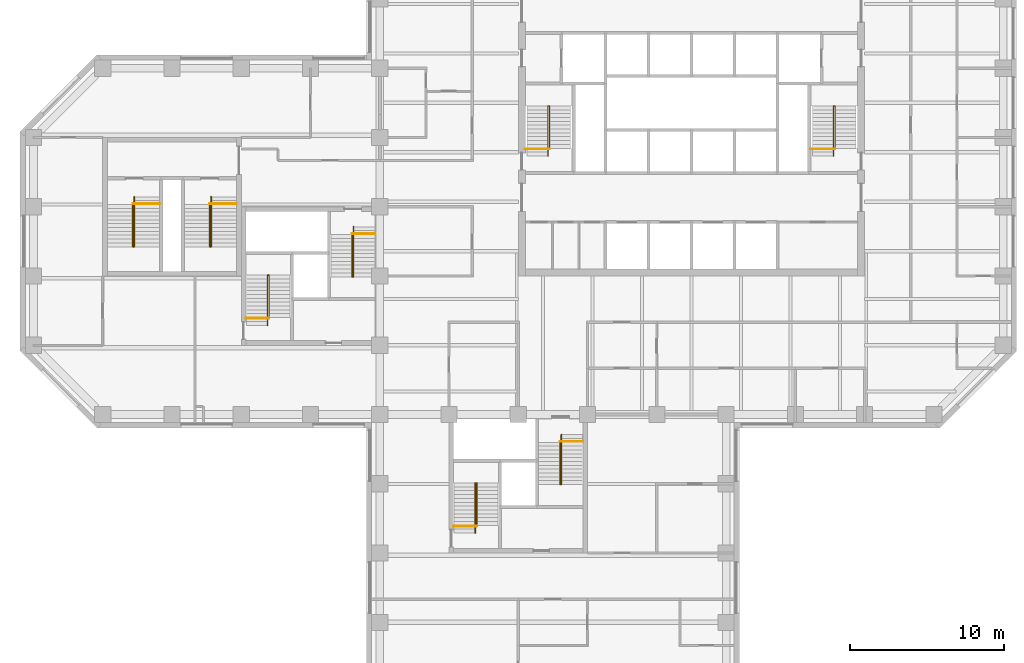
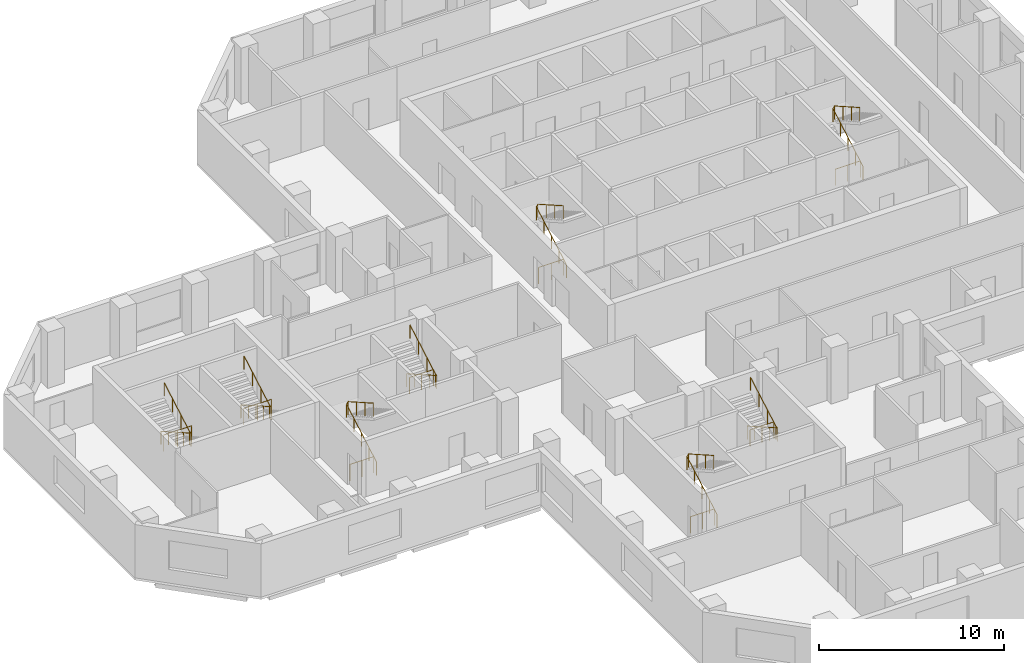
# One storey, part 11 of 11: 16 railings.
"""IFC4 building model written with IfcOpenShell, lengths in metres."""

from ifc_helpers import new_model, si_unit, direction, frame, origin, origin_2d, place, context, subcontext, project, spatial, circle, extrude, material, type_object, element, save


model = new_model("IFC4")

# Units and contexts
model_context = context("Model", 3, precision=1e-05, world=origin(), true_north=direction((0.0, 1.0)))
body_context = subcontext(model_context, "Body", "Model", "MODEL_VIEW")
ifc_project = project(units=[si_unit("LENGTHUNIT", "METRE"), si_unit("AREAUNIT", "SQUARE_METRE"), si_unit("VOLUMEUNIT", "CUBIC_METRE"), si_unit("PLANEANGLEUNIT", "RADIAN"), si_unit("MASSUNIT", "GRAM", prefix="KILO")], contexts=[model_context])

# Site, building, storey
site_placement = place(None, origin())
site = spatial("IfcSite", under=ifc_project, at=site_placement, CompositionType="ELEMENT")
building_placement = place(site_placement, origin())
building = spatial("IfcBuilding", under=site, at=building_placement, Name="Quoin Convention Tower", CompositionType="ELEMENT")
storey_placement = place(building_placement, frame((0.0, 0.0, 101.10009765625)))
storey = spatial("IfcBuildingStorey", under=building, at=storey_placement, Name="L26", CompositionType="ELEMENT", Elevation=101.10009765625)

# Railings
ifc_material = material(Name="Stainless steel", Category="steel")
railing_type_1 = type_object("IfcRailingType", Name="Stair handrail 900", PredefinedType="HANDRAIL", material=ifc_material)
railing_1_placement = place(storey_placement, frame((46.929931640625, 57.300048828125, 0.14208984375)))
element("IfcRailing", 1, at=railing_1_placement, inside=storey, type_object=railing_type_1, Name="SD1 handrail 1", PredefinedType="HANDRAIL", context=body_context, shape_type="SweptSolid", body=[
    extrude(circle(Radius=0.02392578125, at=origin_2d()), frame((0.0, 0.0, 0.8759765625), z_axis=(0.0, 0.869053504361, 0.494718108177), x_axis=(-1.0, 0.0, 0.0)), (0.0, 0.0, 1.0), 3.73974609375),
    extrude(circle(Radius=0.02392578125, at=origin_2d()), frame((0.0, 3.25, 2.72607421875), z_axis=(0.53481069233, 0.0, 0.844971906852), x_axis=(0.0, 1.0, 0.0)), (0.0, 0.0, 1.0), 0.16845703125),
    extrude(circle(Radius=0.02392578125, at=origin_2d()), frame((0.090087890625, 3.25, 2.8681640625), z_axis=(0.0, -0.869058607571, 0.494709143443), x_axis=(1.0, 0.0, 0.0)), (0.0, 0.0, 1.0), 3.164306640625),
    extrude(circle(Radius=0.02099609375, at=origin_2d()), origin(), (0.0, 0.0, 1.0), 0.851806640625),
    extrude(circle(Radius=0.02099609375, at=origin_2d()), frame((0.0, 0.8125, 0.46240234375)), (0.0, 0.0, 1.0), 0.851806640625),
    extrude(circle(Radius=0.02099609375, at=origin_2d()), frame((0.0, 1.625, 0.925048828125)), (0.0, 0.0, 1.0), 0.851806640625),
    extrude(circle(Radius=0.02099609375, at=origin_2d()), frame((0.0, 2.4375, 1.3876953125)), (0.0, 0.0, 1.0), 0.851806640625),
    extrude(circle(Radius=0.02099609375, at=origin_2d()), frame((0.0, 3.25, 1.85009765625)), (0.0, 0.0, 1.0), 0.851806640625),
    extrude(circle(Radius=0.02099609375, at=origin_2d()), frame((0.090087890625, 3.25, 1.992431640625)), (0.0, 0.0, 1.0), 0.851806640625),
    extrude(circle(Radius=0.02099609375, at=origin_2d()), frame((0.090087890625, 2.333251953125, 2.51416015625)), (0.0, 0.0, 1.0), 0.851806640625),
    extrude(circle(Radius=0.02099609375, at=origin_2d()), frame((0.090087890625, 1.416748046875, 3.0361328125)), (0.0, 0.0, 1.0), 0.851806640625),
    extrude(circle(Radius=0.02099609375, at=origin_2d()), frame((0.090087890625, 0.5, 3.557861328125)), (0.0, 0.0, 1.0), 0.851806640625),
])
railing_2_placement = place(storey_placement, frame((65.47998046875, 57.300048828125, 0.14208984375)))
element("IfcRailing", 2, at=railing_2_placement, inside=storey, type_object=railing_type_1, Name="SD2 handrail 1", PredefinedType="HANDRAIL", context=body_context, shape_type="SweptSolid", body=[
    extrude(circle(Radius=0.02392578125, at=origin_2d()), frame((0.0, 0.0, 0.8759765625), z_axis=(0.0, 0.869053504361, 0.494718108177), x_axis=(-1.0, 0.0, 0.0)), (0.0, 0.0, 1.0), 3.73974609375),
    extrude(circle(Radius=0.02392578125, at=origin_2d()), frame((0.0, 3.25, 2.72607421875), z_axis=(0.53481069233, 0.0, 0.844971906852), x_axis=(0.0, 1.0, 0.0)), (0.0, 0.0, 1.0), 0.16845703125),
    extrude(circle(Radius=0.02392578125, at=origin_2d()), frame((0.090087890625, 3.25, 2.8681640625), z_axis=(0.0, -0.869058607571, 0.494709143443), x_axis=(1.0, 0.0, 0.0)), (0.0, 0.0, 1.0), 3.164306640625),
    extrude(circle(Radius=0.02099609375, at=origin_2d()), origin(), (0.0, 0.0, 1.0), 0.851806640625),
    extrude(circle(Radius=0.02099609375, at=origin_2d()), frame((0.0, 0.8125, 0.46240234375)), (0.0, 0.0, 1.0), 0.851806640625),
    extrude(circle(Radius=0.02099609375, at=origin_2d()), frame((0.0, 1.625, 0.925048828125)), (0.0, 0.0, 1.0), 0.851806640625),
    extrude(circle(Radius=0.02099609375, at=origin_2d()), frame((0.0, 2.4375, 1.3876953125)), (0.0, 0.0, 1.0), 0.851806640625),
    extrude(circle(Radius=0.02099609375, at=origin_2d()), frame((0.0, 3.25, 1.85009765625)), (0.0, 0.0, 1.0), 0.851806640625),
    extrude(circle(Radius=0.02099609375, at=origin_2d()), frame((0.090087890625, 3.25, 1.992431640625)), (0.0, 0.0, 1.0), 0.851806640625),
    extrude(circle(Radius=0.02099609375, at=origin_2d()), frame((0.090087890625, 2.333251953125, 2.51416015625)), (0.0, 0.0, 1.0), 0.851806640625),
    extrude(circle(Radius=0.02099609375, at=origin_2d()), frame((0.090087890625, 1.416748046875, 3.0361328125)), (0.0, 0.0, 1.0), 0.851806640625),
    extrude(circle(Radius=0.02099609375, at=origin_2d()), frame((0.090087890625, 0.5, 3.557861328125)), (0.0, 0.0, 1.0), 0.851806640625),
])
railing_3_placement = place(storey_placement, frame((28.705078125, 46.300048828125, 0.14208984375)))
element("IfcRailing", 3, at=railing_3_placement, inside=storey, type_object=railing_type_1, Name="SD3 handrail 1", PredefinedType="HANDRAIL", context=body_context, shape_type="SweptSolid", body=[
    extrude(circle(Radius=0.02392578125, at=origin_2d()), frame((0.0, 0.0, 0.8759765625), z_axis=(0.0, 0.869053504361, 0.494718108177), x_axis=(-1.0, 0.0, 0.0)), (0.0, 0.0, 1.0), 3.73974609375),
    extrude(circle(Radius=0.02392578125, at=origin_2d()), frame((0.0, 3.25, 2.72607421875), z_axis=(0.533774684331, 0.0, 0.845626741753), x_axis=(0.0, 1.0, 0.0)), (0.0, 0.0, 1.0), 0.168212890625),
    extrude(circle(Radius=0.02392578125, at=origin_2d()), frame((0.08984375, 3.25, 2.8681640625), z_axis=(0.0, -0.869058607571, 0.494709143443), x_axis=(1.0, 0.0, 0.0)), (0.0, 0.0, 1.0), 3.164306640625),
    extrude(circle(Radius=0.02099609375, at=origin_2d()), origin(), (0.0, 0.0, 1.0), 0.851806640625),
    extrude(circle(Radius=0.02099609375, at=origin_2d()), frame((0.0, 0.8125, 0.46240234375)), (0.0, 0.0, 1.0), 0.851806640625),
    extrude(circle(Radius=0.02099609375, at=origin_2d()), frame((0.0, 1.625, 0.925048828125)), (0.0, 0.0, 1.0), 0.851806640625),
    extrude(circle(Radius=0.02099609375, at=origin_2d()), frame((0.0, 2.4375, 1.3876953125)), (0.0, 0.0, 1.0), 0.851806640625),
    extrude(circle(Radius=0.02099609375, at=origin_2d()), frame((0.0, 3.25, 1.85009765625)), (0.0, 0.0, 1.0), 0.851806640625),
    extrude(circle(Radius=0.02099609375, at=origin_2d()), frame((0.08984375, 3.25, 1.992431640625)), (0.0, 0.0, 1.0), 0.851806640625),
    extrude(circle(Radius=0.02099609375, at=origin_2d()), frame((0.08984375, 2.333251953125, 2.51416015625)), (0.0, 0.0, 1.0), 0.851806640625),
    extrude(circle(Radius=0.02099609375, at=origin_2d()), frame((0.08984375, 1.416748046875, 3.0361328125)), (0.0, 0.0, 1.0), 0.851806640625),
    extrude(circle(Radius=0.02099609375, at=origin_2d()), frame((0.08984375, 0.5, 3.557861328125)), (0.0, 0.0, 1.0), 0.851806640625),
])
railing_4_placement = place(storey_placement, frame((34.294921875, 52.699951171875, 0.14208984375)))
element("IfcRailing", 4, at=railing_4_placement, inside=storey, type_object=railing_type_1, Name="SD4 handrail 1", PredefinedType="HANDRAIL", context=body_context, shape_type="SweptSolid", body=[
    extrude(circle(Radius=0.02392578125, at=origin_2d()), frame((0.0, 0.0, 0.8759765625), z_axis=(0.0, -0.869053504361, 0.494718108177), x_axis=(1.0, 0.0, 0.0)), (0.0, 0.0, 1.0), 3.73974609375),
    extrude(circle(Radius=0.02392578125, at=origin_2d()), frame((0.0, -3.25, 2.72607421875), z_axis=(-0.533774684331, 0.0, 0.845626741753), x_axis=(0.0, -1.0, 0.0)), (0.0, 0.0, 1.0), 0.168212890625),
    extrude(circle(Radius=0.02392578125, at=origin_2d()), frame((-0.08984375, -3.25, 2.8681640625), z_axis=(0.0, 0.869058607571, 0.494709143443), x_axis=(-1.0, 0.0, 0.0)), (0.0, 0.0, 1.0), 3.164306640625),
    extrude(circle(Radius=0.02099609375, at=origin_2d()), origin(), (0.0, 0.0, 1.0), 0.851806640625),
    extrude(circle(Radius=0.02099609375, at=origin_2d()), frame((0.0, -0.8125, 0.46240234375)), (0.0, 0.0, 1.0), 0.851806640625),
    extrude(circle(Radius=0.02099609375, at=origin_2d()), frame((0.0, -1.625, 0.925048828125)), (0.0, 0.0, 1.0), 0.851806640625),
    extrude(circle(Radius=0.02099609375, at=origin_2d()), frame((0.0, -2.4375, 1.3876953125)), (0.0, 0.0, 1.0), 0.851806640625),
    extrude(circle(Radius=0.02099609375, at=origin_2d()), frame((0.0, -3.25, 1.85009765625)), (0.0, 0.0, 1.0), 0.851806640625),
    extrude(circle(Radius=0.02099609375, at=origin_2d()), frame((-0.08984375, -3.25, 1.992431640625)), (0.0, 0.0, 1.0), 0.851806640625),
    extrude(circle(Radius=0.02099609375, at=origin_2d()), frame((-0.08984375, -2.333251953125, 2.51416015625)), (0.0, 0.0, 1.0), 0.851806640625),
    extrude(circle(Radius=0.02099609375, at=origin_2d()), frame((-0.08984375, -1.416748046875, 3.0361328125)), (0.0, 0.0, 1.0), 0.851806640625),
    extrude(circle(Radius=0.02099609375, at=origin_2d()), frame((-0.08984375, -0.5, 3.557861328125)), (0.0, 0.0, 1.0), 0.851806640625),
])
railing_5_placement = place(storey_placement, frame((42.205078125, 32.800048828125, 0.14208984375)))
element("IfcRailing", 5, at=railing_5_placement, inside=storey, type_object=railing_type_1, Name="SD5 handrail 1", PredefinedType="HANDRAIL", context=body_context, shape_type="SweptSolid", body=[
    extrude(circle(Radius=0.02392578125, at=origin_2d()), frame((0.0, 0.0, 0.8759765625), z_axis=(0.0, 0.869053504361, 0.494718108177), x_axis=(-1.0, 0.0, 0.0)), (0.0, 0.0, 1.0), 3.73974609375),
    extrude(circle(Radius=0.02392578125, at=origin_2d()), frame((0.0, 3.25, 2.72607421875), z_axis=(0.533774684331, 0.0, 0.845626741753), x_axis=(0.0, 1.0, 0.0)), (0.0, 0.0, 1.0), 0.168212890625),
    extrude(circle(Radius=0.02392578125, at=origin_2d()), frame((0.08984375, 3.25, 2.8681640625), z_axis=(0.0, -0.869058607571, 0.494709143443), x_axis=(1.0, 0.0, 0.0)), (0.0, 0.0, 1.0), 3.164306640625),
    extrude(circle(Radius=0.02099609375, at=origin_2d()), origin(), (0.0, 0.0, 1.0), 0.851806640625),
    extrude(circle(Radius=0.02099609375, at=origin_2d()), frame((0.0, 0.8125, 0.46240234375)), (0.0, 0.0, 1.0), 0.851806640625),
    extrude(circle(Radius=0.02099609375, at=origin_2d()), frame((0.0, 1.625, 0.925048828125)), (0.0, 0.0, 1.0), 0.851806640625),
    extrude(circle(Radius=0.02099609375, at=origin_2d()), frame((0.0, 2.4375, 1.3876953125)), (0.0, 0.0, 1.0), 0.851806640625),
    extrude(circle(Radius=0.02099609375, at=origin_2d()), frame((0.0, 3.25, 1.85009765625)), (0.0, 0.0, 1.0), 0.851806640625),
    extrude(circle(Radius=0.02099609375, at=origin_2d()), frame((0.08984375, 3.25, 1.992431640625)), (0.0, 0.0, 1.0), 0.851806640625),
    extrude(circle(Radius=0.02099609375, at=origin_2d()), frame((0.08984375, 2.333251953125, 2.51416015625)), (0.0, 0.0, 1.0), 0.851806640625),
    extrude(circle(Radius=0.02099609375, at=origin_2d()), frame((0.08984375, 1.416748046875, 3.0361328125)), (0.0, 0.0, 1.0), 0.851806640625),
    extrude(circle(Radius=0.02099609375, at=origin_2d()), frame((0.08984375, 0.5, 3.557861328125)), (0.0, 0.0, 1.0), 0.851806640625),
])
railing_6_placement = place(storey_placement, frame((47.794921875, 39.199951171875, 0.14208984375)))
element("IfcRailing", 6, at=railing_6_placement, inside=storey, type_object=railing_type_1, Name="SD6 handrail 1", PredefinedType="HANDRAIL", context=body_context, shape_type="SweptSolid", body=[
    extrude(circle(Radius=0.02392578125, at=origin_2d()), frame((0.0, 0.0, 0.8759765625), z_axis=(0.0, -0.869053504361, 0.494718108177), x_axis=(1.0, 0.0, 0.0)), (0.0, 0.0, 1.0), 3.73974609375),
    extrude(circle(Radius=0.02392578125, at=origin_2d()), frame((0.0, -3.25, 2.72607421875), z_axis=(-0.533774684331, 0.0, 0.845626741753), x_axis=(0.0, -1.0, 0.0)), (0.0, 0.0, 1.0), 0.168212890625),
    extrude(circle(Radius=0.02392578125, at=origin_2d()), frame((-0.08984375, -3.25, 2.8681640625), z_axis=(0.0, 0.869058607571, 0.494709143443), x_axis=(-1.0, 0.0, 0.0)), (0.0, 0.0, 1.0), 3.164306640625),
    extrude(circle(Radius=0.02099609375, at=origin_2d()), origin(), (0.0, 0.0, 1.0), 0.851806640625),
    extrude(circle(Radius=0.02099609375, at=origin_2d()), frame((0.0, -0.8125, 0.46240234375)), (0.0, 0.0, 1.0), 0.851806640625),
    extrude(circle(Radius=0.02099609375, at=origin_2d()), frame((0.0, -1.625, 0.925048828125)), (0.0, 0.0, 1.0), 0.851806640625),
    extrude(circle(Radius=0.02099609375, at=origin_2d()), frame((0.0, -2.4375, 1.3876953125)), (0.0, 0.0, 1.0), 0.851806640625),
    extrude(circle(Radius=0.02099609375, at=origin_2d()), frame((0.0, -3.25, 1.85009765625)), (0.0, 0.0, 1.0), 0.851806640625),
    extrude(circle(Radius=0.02099609375, at=origin_2d()), frame((-0.08984375, -3.25, 1.992431640625)), (0.0, 0.0, 1.0), 0.851806640625),
    extrude(circle(Radius=0.02099609375, at=origin_2d()), frame((-0.08984375, -2.333251953125, 2.51416015625)), (0.0, 0.0, 1.0), 0.851806640625),
    extrude(circle(Radius=0.02099609375, at=origin_2d()), frame((-0.08984375, -1.416748046875, 3.0361328125)), (0.0, 0.0, 1.0), 0.851806640625),
    extrude(circle(Radius=0.02099609375, at=origin_2d()), frame((-0.08984375, -0.5, 3.557861328125)), (0.0, 0.0, 1.0), 0.851806640625),
])
railing_7_placement = place(storey_placement, frame((20.044921875, 54.64990234375, 0.14208984375)))
element("IfcRailing", 7, at=railing_7_placement, inside=storey, type_object=railing_type_1, Name="SD11 handrail 1", PredefinedType="HANDRAIL", context=body_context, shape_type="SweptSolid", body=[
    extrude(circle(Radius=0.02392578125, at=origin_2d()), frame((0.0, 0.0, 0.8759765625), z_axis=(0.0, -0.869053504361, 0.494718108177), x_axis=(1.0, 0.0, 0.0)), (0.0, 0.0, 1.0), 3.73974609375),
    extrude(circle(Radius=0.02392578125, at=origin_2d()), frame((0.0, -3.25, 2.72607421875), z_axis=(-0.533774684331, 0.0, 0.845626741753), x_axis=(0.0, -1.0, 0.0)), (0.0, 0.0, 1.0), 0.168212890625),
    extrude(circle(Radius=0.02392578125, at=origin_2d()), frame((-0.08984375, -3.25, 2.8681640625), z_axis=(0.0, 0.869058607571, 0.494709143443), x_axis=(-1.0, 0.0, 0.0)), (0.0, 0.0, 1.0), 3.164306640625),
    extrude(circle(Radius=0.02099609375, at=origin_2d()), origin(), (0.0, 0.0, 1.0), 0.851806640625),
    extrude(circle(Radius=0.02099609375, at=origin_2d()), frame((0.0, -0.8125, 0.46240234375)), (0.0, 0.0, 1.0), 0.851806640625),
    extrude(circle(Radius=0.02099609375, at=origin_2d()), frame((0.0, -1.625, 0.925048828125)), (0.0, 0.0, 1.0), 0.851806640625),
    extrude(circle(Radius=0.02099609375, at=origin_2d()), frame((0.0, -2.4375, 1.3876953125)), (0.0, 0.0, 1.0), 0.851806640625),
    extrude(circle(Radius=0.02099609375, at=origin_2d()), frame((0.0, -3.25, 1.85009765625)), (0.0, 0.0, 1.0), 0.851806640625),
    extrude(circle(Radius=0.02099609375, at=origin_2d()), frame((-0.08984375, -3.25, 1.992431640625)), (0.0, 0.0, 1.0), 0.851806640625),
    extrude(circle(Radius=0.02099609375, at=origin_2d()), frame((-0.08984375, -2.333251953125, 2.51416015625)), (0.0, 0.0, 1.0), 0.851806640625),
    extrude(circle(Radius=0.02099609375, at=origin_2d()), frame((-0.08984375, -1.416748046875, 3.0361328125)), (0.0, 0.0, 1.0), 0.851806640625),
    extrude(circle(Radius=0.02099609375, at=origin_2d()), frame((-0.08984375, -0.5, 3.557861328125)), (0.0, 0.0, 1.0), 0.851806640625),
])
railing_8_placement = place(storey_placement, frame((25.044921875, 54.64990234375, 0.14208984375)))
element("IfcRailing", 8, at=railing_8_placement, inside=storey, type_object=railing_type_1, Name="SD12 handrail 1", PredefinedType="HANDRAIL", context=body_context, shape_type="SweptSolid", body=[
    extrude(circle(Radius=0.02392578125, at=origin_2d()), frame((0.0, 0.0, 0.8759765625), z_axis=(0.0, -0.869053504361, 0.494718108177), x_axis=(1.0, 0.0, 0.0)), (0.0, 0.0, 1.0), 3.73974609375),
    extrude(circle(Radius=0.02392578125, at=origin_2d()), frame((0.0, -3.25, 2.72607421875), z_axis=(-0.533774684331, 0.0, 0.845626741753), x_axis=(0.0, -1.0, 0.0)), (0.0, 0.0, 1.0), 0.168212890625),
    extrude(circle(Radius=0.02392578125, at=origin_2d()), frame((-0.08984375, -3.25, 2.8681640625), z_axis=(0.0, 0.869058607571, 0.494709143443), x_axis=(-1.0, 0.0, 0.0)), (0.0, 0.0, 1.0), 3.164306640625),
    extrude(circle(Radius=0.02099609375, at=origin_2d()), origin(), (0.0, 0.0, 1.0), 0.851806640625),
    extrude(circle(Radius=0.02099609375, at=origin_2d()), frame((0.0, -0.8125, 0.46240234375)), (0.0, 0.0, 1.0), 0.851806640625),
    extrude(circle(Radius=0.02099609375, at=origin_2d()), frame((0.0, -1.625, 0.925048828125)), (0.0, 0.0, 1.0), 0.851806640625),
    extrude(circle(Radius=0.02099609375, at=origin_2d()), frame((0.0, -2.4375, 1.3876953125)), (0.0, 0.0, 1.0), 0.851806640625),
    extrude(circle(Radius=0.02099609375, at=origin_2d()), frame((0.0, -3.25, 1.85009765625)), (0.0, 0.0, 1.0), 0.851806640625),
    extrude(circle(Radius=0.02099609375, at=origin_2d()), frame((-0.08984375, -3.25, 1.992431640625)), (0.0, 0.0, 1.0), 0.851806640625),
    extrude(circle(Radius=0.02099609375, at=origin_2d()), frame((-0.08984375, -2.333251953125, 2.51416015625)), (0.0, 0.0, 1.0), 0.851806640625),
    extrude(circle(Radius=0.02099609375, at=origin_2d()), frame((-0.08984375, -1.416748046875, 3.0361328125)), (0.0, 0.0, 1.0), 0.851806640625),
    extrude(circle(Radius=0.02099609375, at=origin_2d()), frame((-0.08984375, -0.5, 3.557861328125)), (0.0, 0.0, 1.0), 0.851806640625),
])
railing_type_2 = type_object("IfcRailingType", Name="Stair top guard 1100", PredefinedType="GUARDRAIL", material=ifc_material)
for number, where, name in (
    (9, (45.449951171875, 57.75, 0.0), "SD1 top guard"),
    (10, (64.0, 57.75, 0.0), "SD2 top guard"),
):
    element("IfcRailing", number, at=place(storey_placement, frame(where)), inside=storey, type_object=railing_type_2, Name=name, PredefinedType="GUARDRAIL", context=body_context, shape_type="SweptSolid", body=[
        extrude(circle(Radius=0.02392578125, at=origin_2d()), frame((0.0, 0.0, 1.076171875), z_axis=(1.0, 0.0, 0.0), x_axis=(0.0, 1.0, 0.0)), (0.0, 0.0, 1.0), 1.570068359375),
        extrude(circle(Radius=0.02099609375, at=origin_2d()), origin(), (0.0, 0.0, 1.0), 1.052001953125),
        extrude(circle(Radius=0.02099609375, at=origin_2d()), frame((0.78515625, 0.0, 0.0)), (0.0, 0.0, 1.0), 1.052001953125),
        extrude(circle(Radius=0.02099609375, at=origin_2d()), frame((1.570068359375, 0.0, 0.0)), (0.0, 0.0, 1.0), 1.052001953125),
    ])
railing_9_placement = place(storey_placement, frame((27.300048828125, 46.75, 0.0)))
element("IfcRailing", 11, at=railing_9_placement, inside=storey, type_object=railing_type_2, Name="SD3 top guard", PredefinedType="GUARDRAIL", context=body_context, shape_type="SweptSolid", body=[
    extrude(circle(Radius=0.02392578125, at=origin_2d()), frame((0.0, 0.0, 1.076171875), z_axis=(1.0, 0.0, 0.0), x_axis=(0.0, 1.0, 0.0)), (0.0, 0.0, 1.0), 1.494873046875),
    extrude(circle(Radius=0.02099609375, at=origin_2d()), origin(), (0.0, 0.0, 1.0), 1.052001953125),
    extrude(circle(Radius=0.02099609375, at=origin_2d()), frame((0.74755859375, 0.0, 0.0)), (0.0, 0.0, 1.0), 1.052001953125),
    extrude(circle(Radius=0.02099609375, at=origin_2d()), frame((1.494873046875, 0.0, 0.0)), (0.0, 0.0, 1.0), 1.052001953125),
])
railing_10_placement = place(storey_placement, frame((35.699951171875, 52.25, 0.0)))
element("IfcRailing", 12, at=railing_10_placement, inside=storey, type_object=railing_type_2, Name="SD4 top guard", PredefinedType="GUARDRAIL", context=body_context, shape_type="SweptSolid", body=[
    extrude(circle(Radius=0.02392578125, at=origin_2d()), frame((0.0, 0.0, 1.076171875), z_axis=(-1.0, 0.0, 0.0), x_axis=(0.0, -1.0, 0.0)), (0.0, 0.0, 1.0), 1.494873046875),
    extrude(circle(Radius=0.02099609375, at=origin_2d()), origin(), (0.0, 0.0, 1.0), 1.052001953125),
    extrude(circle(Radius=0.02099609375, at=origin_2d()), frame((-0.74755859375, 0.0, 0.0)), (0.0, 0.0, 1.0), 1.052001953125),
    extrude(circle(Radius=0.02099609375, at=origin_2d()), frame((-1.494873046875, 0.0, 0.0)), (0.0, 0.0, 1.0), 1.052001953125),
])
railing_11_placement = place(storey_placement, frame((40.800048828125, 33.25, 0.0)))
element("IfcRailing", 13, at=railing_11_placement, inside=storey, type_object=railing_type_2, Name="SD5 top guard", PredefinedType="GUARDRAIL", context=body_context, shape_type="SweptSolid", body=[
    extrude(circle(Radius=0.02392578125, at=origin_2d()), frame((0.0, 0.0, 1.076171875), z_axis=(1.0, 0.0, 0.0), x_axis=(0.0, 1.0, 0.0)), (0.0, 0.0, 1.0), 1.494873046875),
    extrude(circle(Radius=0.02099609375, at=origin_2d()), origin(), (0.0, 0.0, 1.0), 1.052001953125),
    extrude(circle(Radius=0.02099609375, at=origin_2d()), frame((0.74755859375, 0.0, 0.0)), (0.0, 0.0, 1.0), 1.052001953125),
    extrude(circle(Radius=0.02099609375, at=origin_2d()), frame((1.494873046875, 0.0, 0.0)), (0.0, 0.0, 1.0), 1.052001953125),
])
railing_12_placement = place(storey_placement, frame((49.199951171875, 38.75, 0.0)))
element("IfcRailing", 14, at=railing_12_placement, inside=storey, type_object=railing_type_2, Name="SD6 top guard", PredefinedType="GUARDRAIL", context=body_context, shape_type="SweptSolid", body=[
    extrude(circle(Radius=0.02392578125, at=origin_2d()), frame((0.0, 0.0, 1.076171875), z_axis=(-1.0, 0.0, 0.0), x_axis=(0.0, -1.0, 0.0)), (0.0, 0.0, 1.0), 1.494873046875),
    extrude(circle(Radius=0.02099609375, at=origin_2d()), origin(), (0.0, 0.0, 1.0), 1.052001953125),
    extrude(circle(Radius=0.02099609375, at=origin_2d()), frame((-0.74755859375, 0.0, 0.0)), (0.0, 0.0, 1.0), 1.052001953125),
    extrude(circle(Radius=0.02099609375, at=origin_2d()), frame((-1.494873046875, 0.0, 0.0)), (0.0, 0.0, 1.0), 1.052001953125),
])
for number, where, name in (
    (15, (21.699951171875, 54.199951171875, 0.0), "SD11 top guard"),
    (16, (26.699951171875, 54.199951171875, 0.0), "SD12 top guard"),
):
    element("IfcRailing", number, at=place(storey_placement, frame(where)), inside=storey, type_object=railing_type_2, Name=name, PredefinedType="GUARDRAIL", context=body_context, shape_type="SweptSolid", body=[
        extrude(circle(Radius=0.02392578125, at=origin_2d()), frame((0.0, 0.0, 1.076171875), z_axis=(-1.0, 0.0, 0.0), x_axis=(0.0, -1.0, 0.0)), (0.0, 0.0, 1.0), 1.744873046875),
        extrude(circle(Radius=0.02099609375, at=origin_2d()), origin(), (0.0, 0.0, 1.0), 1.052001953125),
        extrude(circle(Radius=0.02099609375, at=origin_2d()), frame((-0.87255859375, 0.0, 0.0)), (0.0, 0.0, 1.0), 1.052001953125),
        extrude(circle(Radius=0.02099609375, at=origin_2d()), frame((-1.744873046875, 0.0, 0.0)), (0.0, 0.0, 1.0), 1.052001953125),
    ])

save(model, "model.ifc")
